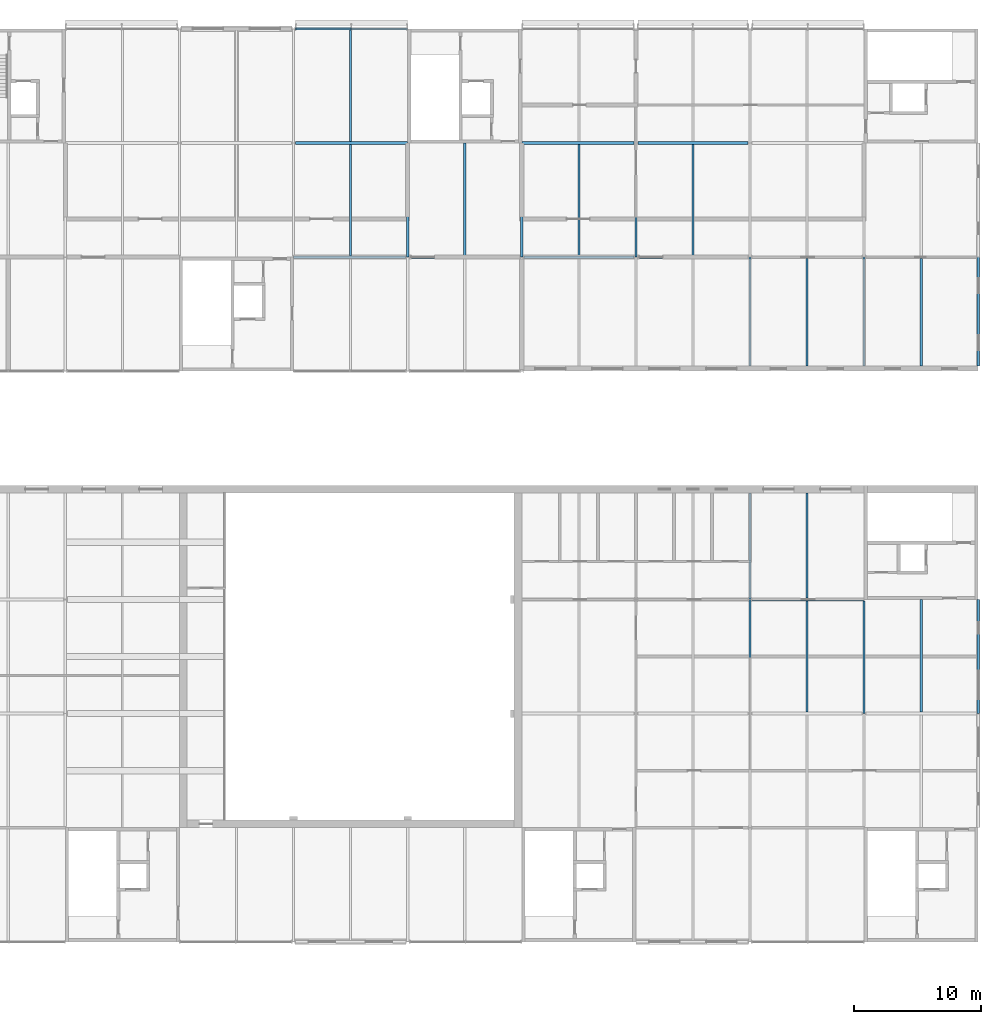
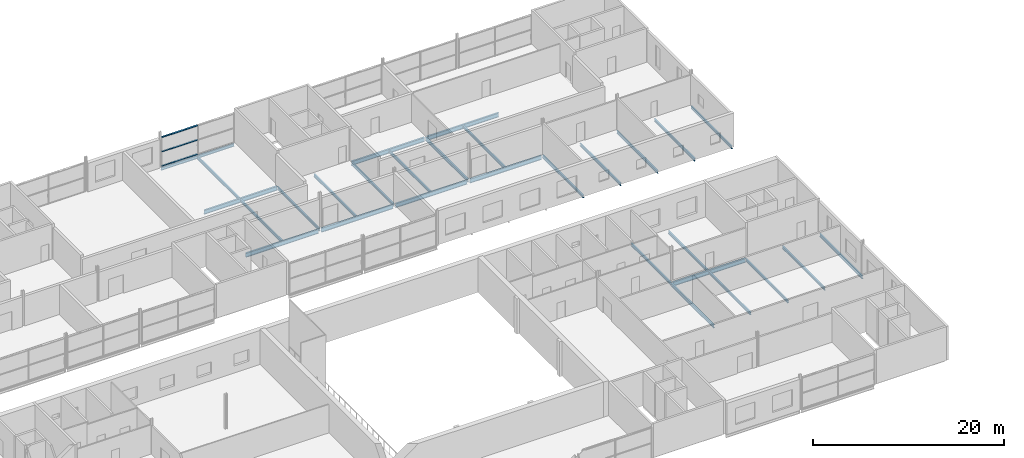
# One storey, part 86 of 138: 29 beams, 3 members, 1 element without a shape of its own.
"""IFC4 building model written with IfcOpenShell, lengths in metres."""

from ifc_helpers import new_model, si_unit, direction, frame, origin, origin_2d, place, context, subcontext, project, spatial, rectangle, i_section, extrude, material, layer, layer_set, material_profile, profile_set, type_object, element, aggregate, save


model = new_model("IFC4")

# Units and contexts
model_context = context("Model", 3, precision=1e-05, world=origin(), true_north=direction((0.0, 1.0)))
body_context = subcontext(model_context, "Body", "Model", "MODEL_VIEW")
ifc_project = project(units=[si_unit("LENGTHUNIT", "METRE"), si_unit("AREAUNIT", "SQUARE_METRE"), si_unit("VOLUMEUNIT", "CUBIC_METRE"), si_unit("PLANEANGLEUNIT", "RADIAN"), si_unit("MASSUNIT", "GRAM", prefix="KILO")], contexts=[model_context])

# Site, building, storey
site_placement = place(None, origin())
site = spatial("IfcSite", under=ifc_project, at=site_placement, CompositionType="ELEMENT")
building_placement = place(site_placement, origin())
building = spatial("IfcBuilding", under=site, at=building_placement, Name="Corbel Yard City Hall", CompositionType="ELEMENT")
storey_placement = place(building_placement, frame((0.0, 0.0, 10.5)))
storey = spatial("IfcBuildingStorey", under=building, at=storey_placement, Name="L02", CompositionType="ELEMENT", Elevation=10.5)

# Beams
ifc_material_1 = material(Name="Steel Grade 300 (300 MPa yield)", Category="steel")
ifc_material_profile_1 = material_profile(ifc_material_1, i_section(OverallWidth=0.1708984375, OverallDepth=0.35205078125, WebThickness=0.0068359375, FlangeThickness=0.009765625, at=origin_2d()), Name="360UB44.7")
ifc_profile_set_1 = profile_set([ifc_material_profile_1], Name="Steel Grade 300 (300 MPa yield)")
beam_type_1 = type_object("IfcBeamType", Name="Beam 360UB44.7", PredefinedType="BEAM", material=ifc_profile_set_1)
beam_1_placement = place(storey_placement, frame((162.0, 72.005859375, -0.325927734375), z_axis=(0.0, 1.0, 0.0), x_axis=(-1.0, 0.0, 0.0)))
element("IfcBeam", 1, at=beam_1_placement, inside=storey, type_object=beam_type_1, Name="Beam 360UB44.7 SB13 L02floor", PredefinedType="BEAM", context=body_context, shape_type="SweptSolid", body=[
    extrude(i_section(OverallWidth=0.1708984375, OverallDepth=0.35205078125, WebThickness=0.0068359375, FlangeThickness=0.009765625, at=origin_2d()), origin(), (0.0, 0.0, 1.0), 8.39404296875),
])
for number, where, z_axis, x_axis, name in (
    (2, (162.0, 90.39990234375, -0.325927734375), (0.0, 1.0, 0.0), (-1.0, 0.0, 0.0), "Beam 360UB44.7 SB13 L02floor"),
    (3, (171.0, 90.39990234375, -0.325927734375), (0.0, 1.0, 0.0), (-1.0, 0.0, 0.0), "Beam 360UB44.7 SB13 L02floor"),
):
    element("IfcBeam", number, at=place(storey_placement, frame(where, z_axis=z_axis, x_axis=x_axis)), inside=storey, type_object=beam_type_1, Name=name, PredefinedType="BEAM", context=body_context, shape_type="SweptSolid", body=[
        extrude(i_section(OverallWidth=0.1708984375, OverallDepth=0.35205078125, WebThickness=0.0068359375, FlangeThickness=0.009765625, at=origin_2d()), origin(), (0.0, 0.0, 1.0), 8.59423828125),
    ])
ifc_material_profile_2 = material_profile(ifc_material_1, i_section(OverallWidth=0.1708984375, OverallDepth=0.35595703125, WebThickness=0.00732421875, FlangeThickness=0.011474609375, at=origin_2d()), Name="360UB50.7")
ifc_profile_set_2 = profile_set([ifc_material_profile_2], Name="Steel Grade 300 (300 MPa yield)")
beam_type_2 = type_object("IfcBeamType", Name="Beam 360UB50.7", PredefinedType="BEAM", material=ifc_profile_set_2)
for number, where, z_axis, x_axis, name in (
    (4, (135.0, 99.005859375, -0.327880859375), (0.0, 1.0, 0.0), (-1.0, 0.0, 0.0), "Beam 360UB50.7 SB14 L02floor"),
    (5, (144.0, 99.005859375, -0.327880859375), (0.0, 1.0, 0.0), (-1.0, 0.0, 0.0), "Beam 360UB50.7 SB14 L02floor"),
    (6, (171.0, 63.005859375, -0.327880859375), (0.0, 1.0, 0.0), (-1.0, 0.0, 0.0), "Beam 360UB50.7 SB14 L02floor"),
):
    element("IfcBeam", number, at=place(storey_placement, frame(where, z_axis=z_axis, x_axis=x_axis)), inside=storey, type_object=beam_type_2, Name=name, PredefinedType="BEAM", context=body_context, shape_type="SweptSolid", body=[
        extrude(i_section(OverallWidth=0.1708984375, OverallDepth=0.35595703125, WebThickness=0.00732421875, FlangeThickness=0.011474609375, at=origin_2d()), origin(), (0.0, 0.0, 1.0), 8.8896484375),
    ])
ifc_material_profile_3 = material_profile(ifc_material_1, i_section(OverallWidth=0.177978515625, OverallDepth=0.403076171875, WebThickness=0.007568359375, FlangeThickness=0.010986328125, at=origin_2d()), Name="410UB53.7")
ifc_profile_set_3 = profile_set([ifc_material_profile_3], Name="Steel Grade 300 (300 MPa yield)")
beam_type_3 = type_object("IfcBeamType", Name="Beam 410UB53.7", PredefinedType="BEAM", material=ifc_profile_set_3)
for number, where, z_axis, x_axis, name in (
    (7, (153.0, 99.005859375, -0.3515625), (0.0, 1.0, 0.0), (-1.0, 0.0, 0.0), "Beam 410UB53.7 SB6 L02floor"),
    (8, (162.0, 63.005859375, -0.3515625), (0.0, 1.0, 0.0), (-1.0, 0.0, 0.0), "Beam 410UB53.7 SB6 L02floor"),
):
    element("IfcBeam", number, at=place(storey_placement, frame(where, z_axis=z_axis, x_axis=x_axis)), inside=storey, type_object=beam_type_3, Name=name, PredefinedType="BEAM", context=body_context, shape_type="SweptSolid", body=[
        extrude(i_section(OverallWidth=0.177978515625, OverallDepth=0.403076171875, WebThickness=0.007568359375, FlangeThickness=0.010986328125, at=origin_2d()), origin(), (0.0, 0.0, 1.0), 8.98828125),
    ])
ifc_material_profile_4 = material_profile(ifc_material_1, i_section(OverallWidth=0.172119140625, OverallDepth=0.35888671875, WebThickness=0.008056640625, FlangeThickness=0.012939453125, at=origin_2d()), Name="360UB56.7")
ifc_profile_set_4 = profile_set([ifc_material_profile_4], Name="Steel Grade 300 (300 MPa yield)")
beam_type_4 = type_object("IfcBeamType", Name="Edge beam 360UB56.7", PredefinedType="BEAM", material=ifc_profile_set_4)
beam_2_placement = place(storey_placement, frame((126.1298828125, 117.0, -0.32958984375), z_axis=(1.0, 0.0, 0.0), x_axis=(0.0, 1.0, 0.0)))
element("IfcBeam", 9, at=beam_2_placement, inside=storey, type_object=beam_type_4, Name="Edge beam 360UB56.7 EB4 L02floor", PredefinedType="BEAM", context=body_context, shape_type="SweptSolid", body=[
    extrude(i_section(OverallWidth=0.172119140625, OverallDepth=0.35888671875, WebThickness=0.008056640625, FlangeThickness=0.012939453125, at=origin_2d()), origin(), (0.0, 0.0, 1.0), 8.8701171875),
])
beam_3_placement = place(storey_placement, frame((180.0, 90.39990234375, -0.32958984375), z_axis=(0.0, 1.0, 0.0), x_axis=(-1.0, 0.0, 0.0)))
element("IfcBeam", 10, at=beam_3_placement, inside=storey, type_object=beam_type_4, Name="Edge beam 360UB56.7 EB4 L02floor", PredefinedType="BEAM", context=body_context, shape_type="SweptSolid", body=[
    extrude(i_section(OverallWidth=0.172119140625, OverallDepth=0.35888671875, WebThickness=0.008056640625, FlangeThickness=0.012939453125, at=origin_2d()), origin(), (0.0, 0.0, 1.0), 8.5947265625),
])
ifc_material_profile_5 = material_profile(ifc_material_1, i_section(OverallWidth=0.177978515625, OverallDepth=0.403076171875, WebThickness=0.007568359375, FlangeThickness=0.010986328125, at=origin_2d()), Name="410UB53.7")
ifc_profile_set_5 = profile_set([ifc_material_profile_5], Name="Steel Grade 300 (300 MPa yield)")
beam_type_5 = type_object("IfcBeamType", Name="Edge beam 410UB53.7", PredefinedType="BEAM", material=ifc_profile_set_5)
beam_4_placement = place(storey_placement, frame((180.0, 63.00537109375, -0.3515625), z_axis=(0.0, 1.0, 0.0), x_axis=(-1.0, 0.0, 0.0)))
element("IfcBeam", 11, at=beam_4_placement, inside=storey, type_object=beam_type_5, Name="Edge beam 410UB53.7 EB6 L02floor", PredefinedType="BEAM", context=body_context, shape_type="SweptSolid", body=[
    extrude(i_section(OverallWidth=0.177978515625, OverallDepth=0.403076171875, WebThickness=0.007568359375, FlangeThickness=0.010986328125, at=origin_2d()), origin(), (0.0, 0.0, 1.0), 8.99462890625),
])
ifc_material_profile_6 = material_profile(ifc_material_1, i_section(OverallWidth=0.208984375, OverallDepth=0.528076171875, WebThickness=0.009521484375, FlangeThickness=0.01318359375, at=origin_2d()), Name="530UB82.0")
ifc_profile_set_6 = profile_set([ifc_material_profile_6], Name="Steel Grade 300 (300 MPa yield)")
beam_type_6 = type_object("IfcBeamType", Name="Girder 530UB82.0", PredefinedType="BEAM", material=ifc_profile_set_6)
for number, where, z_axis, x_axis, name in (
    (12, (162.157470703125, 72.0, -0.4140625), (1.0, 0.0, 0.0), (0.0, 1.0, 0.0), "Girder 530UB82.0 GB3 L02floor"),
    (13, (126.0, 99.0, -0.4140625), (1.0, 0.0, 0.0), (0.0, 1.0, 0.0), "Girder 530UB82.0 GB3 L02floor"),
):
    element("IfcBeam", number, at=place(storey_placement, frame(where, z_axis=z_axis, x_axis=x_axis)), inside=storey, type_object=beam_type_6, Name=name, PredefinedType="BEAM", context=body_context, shape_type="SweptSolid", body=[
        extrude(i_section(OverallWidth=0.208984375, OverallDepth=0.528076171875, WebThickness=0.009521484375, FlangeThickness=0.01318359375, at=origin_2d()), origin(), (0.0, 0.0, 1.0), 8.842529296875),
    ])
for number, where, z_axis, x_axis, name in (
    (14, (135.157470703125, 99.0, -0.4140625), (1.0, 0.0, 0.0), (0.0, 1.0, 0.0), "Girder 530UB82.0 GB3 L02floor"),
    (15, (144.157470703125, 99.0, -0.4140625), (1.0, 0.0, 0.0), (0.0, 1.0, 0.0), "Girder 530UB82.0 GB3 L02floor"),
    (16, (153.157470703125, 99.0, -0.4140625), (1.0, 0.0, 0.0), (0.0, 1.0, 0.0), "Girder 530UB82.0 GB3 L02floor"),
):
    element("IfcBeam", number, at=place(storey_placement, frame(where, z_axis=z_axis, x_axis=x_axis)), inside=storey, type_object=beam_type_6, Name=name, PredefinedType="BEAM", context=body_context, shape_type="SweptSolid", body=[
        extrude(i_section(OverallWidth=0.208984375, OverallDepth=0.528076171875, WebThickness=0.009521484375, FlangeThickness=0.01318359375, at=origin_2d()), origin(), (0.0, 0.0, 1.0), 8.68505859375),
    ])
for number, where, z_axis, x_axis, name in (
    (17, (126.157470703125, 108.0, -0.4140625), (1.0, 0.0, 0.0), (0.0, 1.0, 0.0), "Girder 530UB82.0 GB3 L02floor"),
    (18, (144.0, 108.0, -0.4140625), (1.0, 0.0, 0.0), (0.0, 1.0, 0.0), "Girder 530UB82.0 GB3 L02floor"),
):
    element("IfcBeam", number, at=place(storey_placement, frame(where, z_axis=z_axis, x_axis=x_axis)), inside=storey, type_object=beam_type_6, Name=name, PredefinedType="BEAM", context=body_context, shape_type="SweptSolid", body=[
        extrude(i_section(OverallWidth=0.208984375, OverallDepth=0.528076171875, WebThickness=0.009521484375, FlangeThickness=0.01318359375, at=origin_2d()), origin(), (0.0, 0.0, 1.0), 8.842529296875),
    ])
beam_5_placement = place(storey_placement, frame((153.157470703125, 108.0, -0.4140625), z_axis=(1.0, 0.0, 0.0), x_axis=(0.0, 1.0, 0.0)))
element("IfcBeam", 19, at=beam_5_placement, inside=storey, type_object=beam_type_6, Name="Girder 530UB82.0 GB3 L02floor", PredefinedType="BEAM", context=body_context, shape_type="SweptSolid", body=[
    extrude(i_section(OverallWidth=0.208984375, OverallDepth=0.528076171875, WebThickness=0.009521484375, FlangeThickness=0.01318359375, at=origin_2d()), origin(), (0.0, 0.0, 1.0), 8.68505859375),
])
ifc_material_profile_7 = material_profile(ifc_material_1, i_section(OverallWidth=0.1708984375, OverallDepth=0.35205078125, WebThickness=0.0068359375, FlangeThickness=0.009765625, at=origin_2d()), Name="360UB44.7")
ifc_profile_set_7 = profile_set([ifc_material_profile_7], Name="Steel Grade 300 (300 MPa yield)")
beam_type_7 = type_object("IfcBeamType", Name="Secondary beam 360UB44.7", PredefinedType="JOIST", material=ifc_profile_set_7)
for number, where, z_axis, x_axis, name in (
    (20, (130.5, 99.1044921875, -0.325927734375), (0.0, 1.0, 0.0), (-1.0, 0.0, 0.0), "Secondary beam 360UB44.7 SB11 L02floor"),
    (21, (148.5, 99.1044921875, -0.325927734375), (0.0, 1.0, 0.0), (-1.0, 0.0, 0.0), "Secondary beam 360UB44.7 SB11 L02floor"),
    (22, (157.5, 99.1044921875, -0.325927734375), (0.0, 1.0, 0.0), (-1.0, 0.0, 0.0), "Secondary beam 360UB44.7 SB11 L02floor"),
    (23, (166.5, 63.1044921875, -0.325927734375), (0.0, 1.0, 0.0), (-1.0, 0.0, 0.0), "Secondary beam 360UB44.7 SB11 L02floor"),
):
    element("IfcBeam", number, at=place(storey_placement, frame(where, z_axis=z_axis, x_axis=x_axis)), inside=storey, type_object=beam_type_7, Name=name, PredefinedType="JOIST", context=body_context, shape_type="SweptSolid", body=[
        extrude(i_section(OverallWidth=0.1708984375, OverallDepth=0.35205078125, WebThickness=0.0068359375, FlangeThickness=0.009765625, at=origin_2d()), origin(), (0.0, 0.0, 1.0), 8.791015625),
    ])
beam_6_placement = place(storey_placement, frame((166.5, 72.1044921875, -0.325927734375), z_axis=(0.0, 1.0, 0.0), x_axis=(-1.0, 0.0, 0.0)))
element("IfcBeam", 24, at=beam_6_placement, inside=storey, type_object=beam_type_7, Name="Secondary beam 360UB44.7 SB11 L02floor", PredefinedType="JOIST", context=body_context, shape_type="SweptSolid", body=[
    extrude(i_section(OverallWidth=0.1708984375, OverallDepth=0.35205078125, WebThickness=0.0068359375, FlangeThickness=0.009765625, at=origin_2d()), origin(), (0.0, 0.0, 1.0), 8.29541015625),
])
for number, where, z_axis, x_axis, name in (
    (25, (166.5, 90.39990234375, -0.325927734375), (0.0, 1.0, 0.0), (-1.0, 0.0, 0.0), "Secondary beam 360UB44.7 SB11 L02floor"),
    (26, (175.5, 90.39990234375, -0.325927734375), (0.0, 1.0, 0.0), (-1.0, 0.0, 0.0), "Secondary beam 360UB44.7 SB11 L02floor"),
):
    element("IfcBeam", number, at=place(storey_placement, frame(where, z_axis=z_axis, x_axis=x_axis)), inside=storey, type_object=beam_type_7, Name=name, PredefinedType="JOIST", context=body_context, shape_type="SweptSolid", body=[
        extrude(i_section(OverallWidth=0.1708984375, OverallDepth=0.35205078125, WebThickness=0.0068359375, FlangeThickness=0.009765625, at=origin_2d()), origin(), (0.0, 0.0, 1.0), 8.49560546875),
    ])
ifc_material_profile_8 = material_profile(ifc_material_1, i_section(OverallWidth=0.1708984375, OverallDepth=0.35595703125, WebThickness=0.00732421875, FlangeThickness=0.011474609375, at=origin_2d()), Name="360UB50.7")
ifc_profile_set_8 = profile_set([ifc_material_profile_8], Name="Steel Grade 300 (300 MPa yield)")
beam_type_8 = type_object("IfcBeamType", Name="Secondary beam 360UB50.7", PredefinedType="JOIST", material=ifc_profile_set_8)
beam_7_placement = place(storey_placement, frame((130.5, 108.1044921875, -0.327880859375), z_axis=(0.0, 1.0, 0.0), x_axis=(-1.0, 0.0, 0.0)))
element("IfcBeam", 27, at=beam_7_placement, inside=storey, type_object=beam_type_8, Name="Secondary beam 360UB50.7 SB10 L02floor", PredefinedType="JOIST", context=body_context, shape_type="SweptSolid", body=[
    extrude(i_section(OverallWidth=0.1708984375, OverallDepth=0.35595703125, WebThickness=0.00732421875, FlangeThickness=0.011474609375, at=origin_2d()), origin(), (0.0, 0.0, 1.0), 8.8095703125),
])
for number, where, z_axis, x_axis, name in (
    (28, (139.5, 99.1044921875, -0.327880859375), (0.0, 1.0, 0.0), (-1.0, 0.0, 0.0), "Secondary beam 360UB50.7 SB10 L02floor"),
    (29, (175.5, 63.1044921875, -0.327880859375), (0.0, 1.0, 0.0), (-1.0, 0.0, 0.0), "Secondary beam 360UB50.7 SB10 L02floor"),
):
    element("IfcBeam", number, at=place(storey_placement, frame(where, z_axis=z_axis, x_axis=x_axis)), inside=storey, type_object=beam_type_8, Name=name, PredefinedType="JOIST", context=body_context, shape_type="SweptSolid", body=[
        extrude(i_section(OverallWidth=0.1708984375, OverallDepth=0.35595703125, WebThickness=0.00732421875, FlangeThickness=0.011474609375, at=origin_2d()), origin(), (0.0, 0.0, 1.0), 8.8955078125),
    ])

# Curtain wall, members
ifc_material_2 = material(Name="Aluminium extrusion", Category="aluminium")
ifc_layer = layer(ifc_material_2, 0.199951171875)
ifc_layer_set = layer_set([ifc_layer], Name="Aluminium extrusion")
curtain_wall_type = type_object("IfcCurtainWallType", Name="CW1", PredefinedType="USERDEFINED", material=ifc_layer_set)
curtain_wall_placement = place(storey_placement, origin())
curtain_wall = element("IfcCurtainWall", 30, at=curtain_wall_placement, inside=storey, type_object=curtain_wall_type, Name="Curtain wall CW1 L02", ObjectType="CURTAIN WALL", PredefinedType="USERDEFINED")
ifc_material_profile_9 = material_profile(ifc_material_2, rectangle(XDim=0.14990234375, YDim=0.06494140625, at=origin_2d()), Name="150x65")
ifc_profile_set_9 = profile_set([ifc_material_profile_9], Name="Aluminium extrusion")
member_type = type_object("IfcMemberType", Name="TR1", PredefinedType="USERDEFINED", material=ifc_profile_set_9)
member_1_placement = place(storey_placement, frame((126.19189453125, 117.0, 0.032470703125), z_axis=(1.0, 0.0, 0.0), x_axis=(0.0, 1.0, 0.0)))
member_1 = element("IfcMember", 31, at=member_1_placement, type_object=member_type, Name="CW1 transom 1.1", ObjectType="TRANSOM", PredefinedType="USERDEFINED", context=body_context, shape_type="SweptSolid", body=[
    extrude(rectangle(XDim=0.14990234375, YDim=0.06494140625, at=origin_2d()), origin(), (0.0, 0.0, 1.0), 4.339111328125),
])
member_2_placement = place(storey_placement, frame((126.19189453125, 117.0, 1.868896484375), z_axis=(1.0, 0.0, 0.0), x_axis=(0.0, 1.0, 0.0)))
member_2 = element("IfcMember", 32, at=member_2_placement, type_object=member_type, Name="CW1 transom 1.2", ObjectType="TRANSOM", PredefinedType="USERDEFINED", context=body_context, shape_type="SweptSolid", body=[
    extrude(rectangle(XDim=0.14990234375, YDim=0.06494140625, at=origin_2d()), origin(), (0.0, 0.0, 1.0), 4.339111328125),
])
member_3_placement = place(storey_placement, frame((126.19189453125, 117.0, 3.70556640625), z_axis=(1.0, 0.0, 0.0), x_axis=(0.0, 1.0, 0.0)))
member_3 = element("IfcMember", 33, at=member_3_placement, type_object=member_type, Name="CW1 transom 1.3", ObjectType="TRANSOM", PredefinedType="USERDEFINED", context=body_context, shape_type="SweptSolid", body=[
    extrude(rectangle(XDim=0.14990234375, YDim=0.06494140625, at=origin_2d()), origin(), (0.0, 0.0, 1.0), 4.339111328125),
])
aggregate(curtain_wall, [member_1, member_2, member_3])

save(model, "model.ifc")
